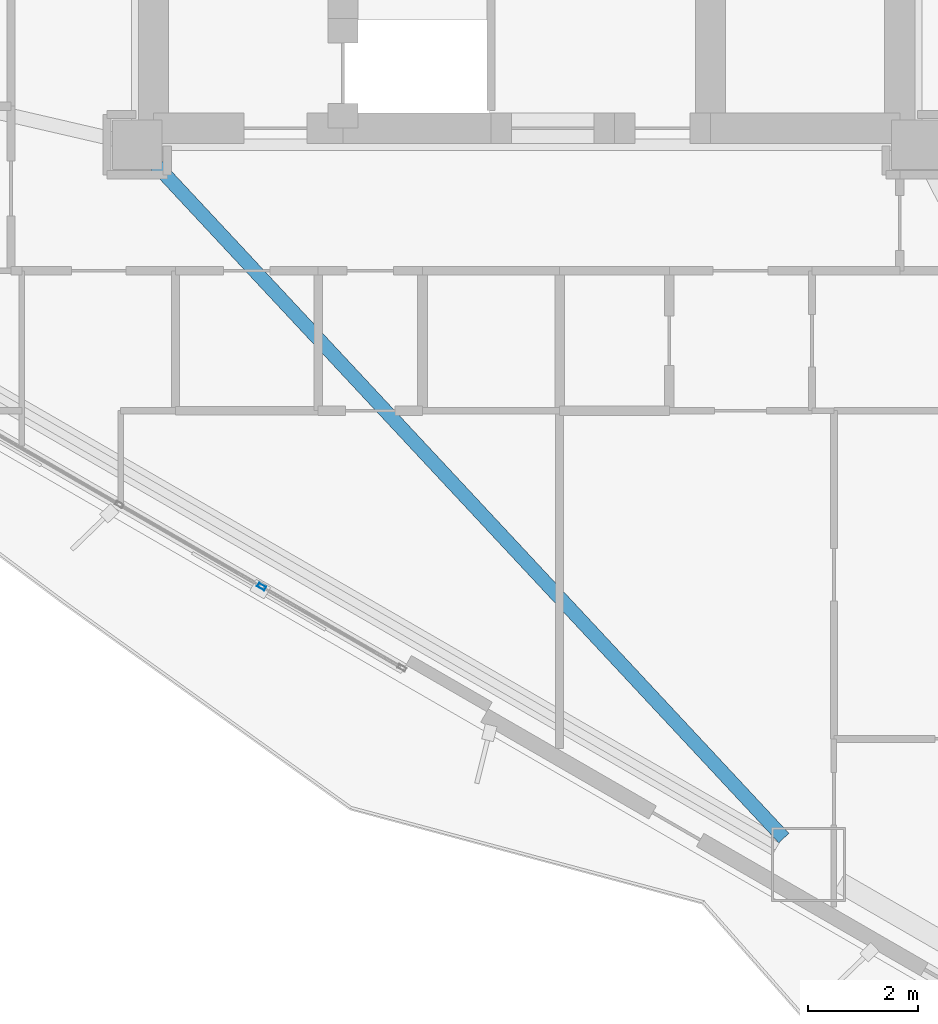
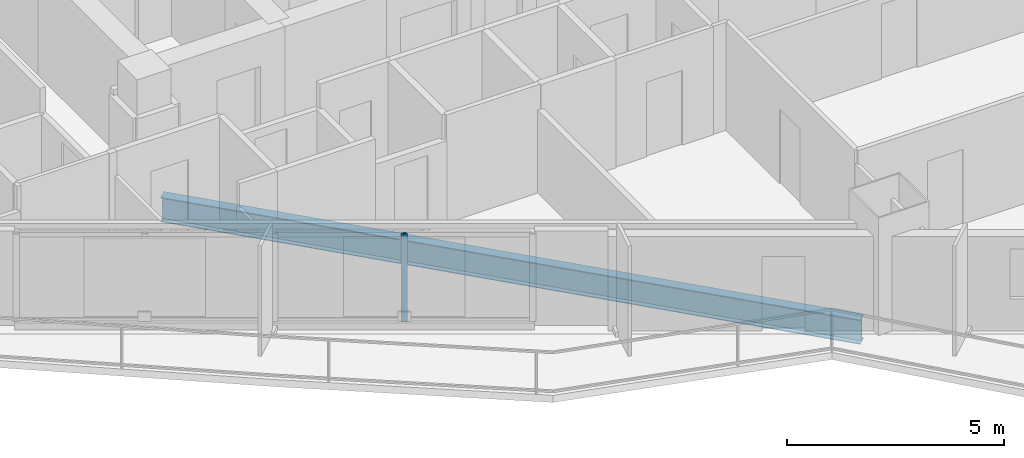
# One storey, part 4 of 19: 1 beam, 1 member, 1 element without a shape of its own.
"""IFC4 building model written with IfcOpenShell, lengths in metres."""

from ifc_helpers import new_model, si_unit, direction, frame, origin, origin_2d, place, context, subcontext, project, spatial, hollow_rectangle, i_section, extrude, material, layer, layer_set, material_profile, profile_set, type_object, element, aggregate, save


model = new_model("IFC4")

# Units and contexts
model_context = context("Model", 3, precision=1e-05, world=origin(), true_north=direction((0.0, 1.0)))
body_context = subcontext(model_context, "Body", "Model", "MODEL_VIEW")
ifc_project = project(units=[si_unit("LENGTHUNIT", "METRE"), si_unit("AREAUNIT", "SQUARE_METRE"), si_unit("VOLUMEUNIT", "CUBIC_METRE"), si_unit("PLANEANGLEUNIT", "RADIAN"), si_unit("MASSUNIT", "GRAM", prefix="KILO")], contexts=[model_context])

# Site, building, storey
site_placement = place(None, origin())
site = spatial("IfcSite", under=ifc_project, at=site_placement, CompositionType="ELEMENT")
building_placement = place(site_placement, origin())
building = spatial("IfcBuilding", under=site, at=building_placement, Name="Mersakhor Tower and Convention Hall", CompositionType="ELEMENT")
storey_placement = place(building_placement, frame((0.0, 0.0, 22.5)))
storey = spatial("IfcBuildingStorey", under=building, at=storey_placement, Name="L05", CompositionType="ELEMENT", Elevation=22.5)

# Beam
ifc_material_1 = material(Name="Steel S355", Category="steel")
ifc_material_profile_1 = material_profile(ifc_material_1, i_section(OverallWidth=0.25439453125, OverallDepth=0.6875, WebThickness=0.01318359375, FlangeThickness=0.02099609375, at=origin_2d()), Name="UB 686x254x152")
ifc_profile_set_1 = profile_set([ifc_material_profile_1], Name="Steel S355")
beam_type = type_object("IfcBeamType", Name="BM-PR-686", PredefinedType="BEAM", material=ifc_profile_set_1)
beam_placement = place(storey_placement, frame((22.193359375, 20.135498046875, -0.603759765625), z_axis=(0.68200435324, -0.731348112845, 0.0), x_axis=(0.731348112845, 0.68200435324, 0.0)))
element("IfcBeam", 1, at=beam_placement, inside=storey, type_object=beam_type, Name="L05 Primary Floor Girder FG-5", PredefinedType="BEAM", context=body_context, shape_type="SweptSolid", body=[
    extrude(i_section(OverallWidth=0.25439453125, OverallDepth=0.6875, WebThickness=0.01318359375, FlangeThickness=0.02099609375, at=origin_2d()), origin(), (0.0, 0.0, 1.0), 16.85205078125),
])

# Curtain wall, member
ifc_material_2 = material(Name="Dark solar low-E aluminium curtain wall", Category="aluminium")
ifc_layer = layer(ifc_material_2, 0.159912109375)
ifc_layer_set = layer_set([ifc_layer], Name="Dark solar low-E aluminium curtain wall")
curtain_wall_type = type_object("IfcCurtainWallType", Name="CW-SYS-01", PredefinedType="USERDEFINED", material=ifc_layer_set)
curtain_wall_placement = place(storey_placement, origin())
curtain_wall = element("IfcCurtainWall", 2, at=curtain_wall_placement, inside=storey, type_object=curtain_wall_type, Name="L05 Dark-Glass Curtain Wall F3-B2", ObjectType="CURTAIN WALL", PredefinedType="USERDEFINED")
ifc_material_3 = material(Name="Anodised aluminium EN AW-6063 T6", Category="aluminium")
ifc_material_profile_2 = material_profile(ifc_material_3, hollow_rectangle(XDim=0.074951171875, YDim=0.14990234375, WallThickness=0.00634765625, at=origin_2d()), Name="RHS 150x75x6.3")
ifc_profile_set_2 = profile_set([ifc_material_profile_2], Name="Anodised aluminium EN AW-6063 T6")
member_type = type_object("IfcMemberType", Name="CWM-150x75", PredefinedType="MULLION", material=ifc_profile_set_2)
member_placement = place(storey_placement, frame((24.167236328125, 12.392822265625, 0.199951171875), z_axis=(0.0, 0.0, 1.0), x_axis=(-0.50000344889, -0.866023412558, 0.0)))
member = element("IfcMember", 3, at=member_placement, type_object=member_type, Name="CW-01 mullion 2", PredefinedType="MULLION", context=body_context, shape_type="SweptSolid", body=[
    extrude(hollow_rectangle(XDim=0.074951171875, YDim=0.14990234375, WallThickness=0.00634765625, at=origin_2d()), origin(), (0.0, 0.0, 1.0), 2.4599609375),
])
aggregate(curtain_wall, [member])

save(model, "model.ifc")
